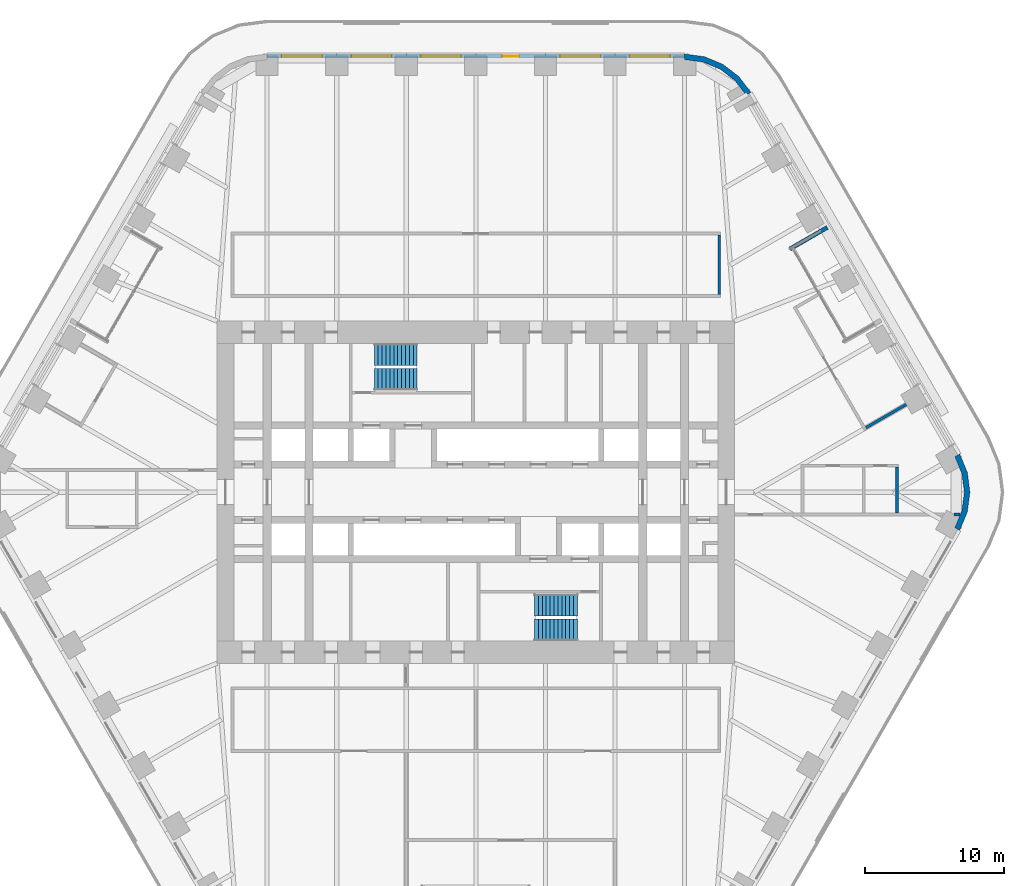
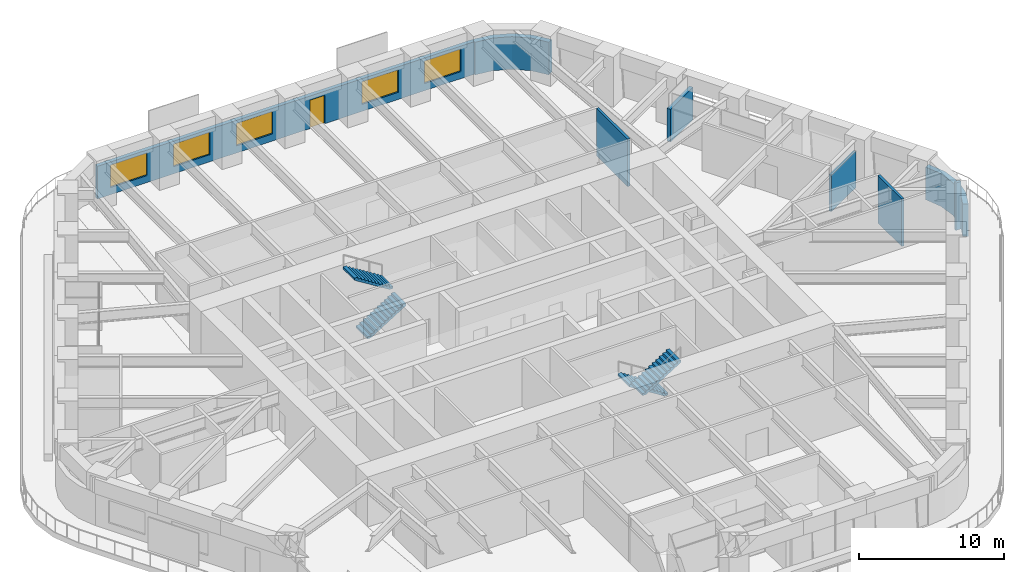
# One storey, part 21 of 24: 8 walls, 5 windows, 4 stair flights, 1 door, 6 openings, 2 elements without a shape of their own.
"""IFC4 building model written with IfcOpenShell, lengths in metres."""

import ifcopenshell
import ifcopenshell.guid

model = None  # the IFC model being written
_history = None  # IfcOwnerHistory: only IFC2X3 demands one
_inside = {}  # id of a spatial element -> (the spatial element, [elements in it])
_under = {}  # id of a project, library or spatial element -> (it, [spatial elements below it])
_declared = {}  # id of a project -> (the project, [libraries it declares])
_typed = {}  # id of a type object -> (the type object, [elements of that type])
_made_of = {}  # id of a material, layer set ... -> (it, [elements and type objects made of it])


def new_model(schema):
    """Start an empty IFC model of exactly this schema.

    Asked for "IFC4X3", IfcOpenShell would pick the latest addendum, in which some entities
    have other attributes; the version numbers below select the first issue.
    IFC2X3 requires an IfcOwnerHistory on every rooted entity: one is made here for all.
    """
    global model, _history
    if schema == "IFC4X3":
        model = ifcopenshell.file(schema_version=(4, 3, 0, 0))
    else:
        model = ifcopenshell.file(schema=schema)
    _inside.clear()
    _under.clear()
    _declared.clear()
    _typed.clear()
    _made_of.clear()
    _history = None
    if model.schema == "IFC2X3":
        org = make("IfcOrganization", Name="unknown")
        user = make(
            "IfcPersonAndOrganization",
            ThePerson=make("IfcPerson", FamilyName="unknown"),
            TheOrganization=org,
        )
        app = make(
            "IfcApplication",
            ApplicationDeveloper=org,
            Version="unknown",
            ApplicationFullName="unknown",
            ApplicationIdentifier="unknown",
        )
        _history = make(
            "IfcOwnerHistory",
            OwningUser=user,
            OwningApplication=app,
            ChangeAction="ADDED",
            CreationDate=0,
        )
    return model


def make(cls, **values):
    """One entity of the class cls with the attributes given. An attribute that is None is left unset."""
    return model.create_entity(
        cls, **{name: value for name, value in values.items() if value is not None}
    )


def rooted(cls, **values):
    """An entity with a GlobalId (a new one), such as an element, a storey or a relation."""
    return make(cls, GlobalId=ifcopenshell.guid.new(), OwnerHistory=_history, **values)


def si_unit(unit_type, name, prefix=None):
    """IfcSIUnit, for example si_unit("LENGTHUNIT", "METRE", prefix="MILLI")."""
    return make("IfcSIUnit", UnitType=unit_type, Prefix=prefix, Name=name)


def assignment(units):
    """IfcUnitAssignment: the units of a project."""
    return None if units is None else make("IfcUnitAssignment", Units=units)


def point(xyz):
    """IfcCartesianPoint."""
    return None if xyz is None else make("IfcCartesianPoint", Coordinates=xyz)


def direction(xyz):
    """IfcDirection."""
    return None if xyz is None else make("IfcDirection", DirectionRatios=xyz)


def frame(location, z_axis=None, x_axis=None):
    """IfcAxis2Placement3D, a coordinate frame: its origin and axes. An axis left out is left unset."""
    return make(
        "IfcAxis2Placement3D",
        Location=point(location),
        Axis=direction(z_axis),
        RefDirection=direction(x_axis),
    )


def frame_2d(location, x_axis=None):
    """IfcAxis2Placement2D, a coordinate frame in the plane: its origin and x axis."""
    return make(
        "IfcAxis2Placement2D", Location=point(location), RefDirection=direction(x_axis)
    )


def origin():
    """The frame at (0, 0, 0) with its axes left unset."""
    return frame((0.0, 0.0, 0.0))


def place(relative_to, where):
    """IfcLocalPlacement: puts the frame where relative to a parent placement (None: the world)."""
    return make(
        "IfcLocalPlacement", PlacementRelTo=relative_to, RelativePlacement=where
    )


def context(
    kind, dimensions, precision=None, world=None, true_north=None, identifier=None
):
    """IfcGeometricRepresentationContext, for example the 3D "Model" context."""
    return make(
        "IfcGeometricRepresentationContext",
        ContextIdentifier=identifier,
        ContextType=kind,
        CoordinateSpaceDimension=dimensions,
        Precision=precision,
        WorldCoordinateSystem=world,
        TrueNorth=true_north,
    )


def subcontext(parent, identifier, kind, view, scale=None):
    """IfcGeometricRepresentationSubContext, for example "Body" below "Model"."""
    return make(
        "IfcGeometricRepresentationSubContext",
        ContextIdentifier=identifier,
        ContextType=kind,
        ParentContext=parent,
        TargetScale=scale,
        TargetView=view,
    )


def project(units=None, contexts=None):
    """IfcProject with its units and contexts."""
    return rooted(
        "IfcProject",
        Name="project",
        RepresentationContexts=contexts,
        UnitsInContext=assignment(units),
    )


def spatial(cls, under=None, at=None, **own):
    """A site, building, storey or space (cls), placed at a placement, below another one or the project."""
    s = rooted(cls, ObjectPlacement=at, **own)
    if under is not None:
        _under.setdefault(under.id(), (under, []))[1].append(s)
    return s


def polyline(points):
    """IfcPolyline through the points."""
    return make("IfcPolyline", Points=[point(p) for p in points])


def profile(cls, at=None, kind="AREA", **sizes):
    """A parametric profile (cls). Its sizes go by their IFC names, for example OverallWidth=200.0."""
    return make(cls, ProfileType=kind, Position=at, **sizes)


def rectangle(**sizes):
    """IfcRectangleProfileDef."""
    return profile("IfcRectangleProfileDef", **sizes)


def outline(outer, holes=None, kind="AREA"):
    """IfcArbitraryClosedProfileDef: a profile drawn as a closed curve; with holes, ...WithVoids."""
    if holes is None:
        return make("IfcArbitraryClosedProfileDef", ProfileType=kind, OuterCurve=outer)
    return make(
        "IfcArbitraryProfileDefWithVoids",
        ProfileType=kind,
        OuterCurve=outer,
        InnerCurves=holes,
    )


def extrude(swept, where, along, depth):
    """IfcExtrudedAreaSolid: the profile swept, set in the frame where, extruded along a direction by depth."""
    return make(
        "IfcExtrudedAreaSolid",
        SweptArea=swept,
        Position=where,
        ExtrudedDirection=direction(along),
        Depth=depth,
    )


def shape(context_of_items, identifier, shape_type, items):
    """IfcShapeRepresentation: the items that make up one representation, for example the "Body"."""
    return make(
        "IfcShapeRepresentation",
        ContextOfItems=context_of_items,
        RepresentationIdentifier=identifier,
        RepresentationType=shape_type,
        Items=items,
    )


def material(Name=None, Category=None):
    """IfcMaterial."""
    return make("IfcMaterial", Name=Name, Category=Category)


def layer(
    of_material, thickness, ventilated=None, Name=None, Category=None, Priority=None
):
    """IfcMaterialLayer: one layer of a wall or slab, of a material (None: an air gap)."""
    return make(
        "IfcMaterialLayer",
        Material=of_material,
        LayerThickness=thickness,
        IsVentilated=ventilated,
        Name=Name,
        Category=Category,
        Priority=Priority,
    )


def layer_set(layers, Name=None):
    """IfcMaterialLayerSet."""
    return make("IfcMaterialLayerSet", MaterialLayers=layers, LayerSetName=Name)


def made_of(thing, what):
    """Note that an element or type object is made of a material, layer set ...; save() writes the relation."""
    if what is not None:
        _made_of.setdefault(what.id(), (what, []))[1].append(thing)
    return thing


def type_object(cls, material=None, **own):
    """A type object (cls), such as IfcWallType, which elements share."""
    return made_of(rooted(cls, **own), material)


def element(
    cls,
    number,
    at=None,
    inside=None,
    cuts=None,
    type_object=None,
    material=None,
    context=None,
    identifier="Body",
    shape_type=None,
    held_by="IfcProductDefinitionShape",
    body=None,
    shapes=None,
    **own,
):
    """One element of the class cls, such as IfcWall. Its Tag is "e" and its number.

    at: its placement. inside: the storey or other place that contains it. cuts: it is an
    opening in that element (IfcRelVoidsElement). A single representation is given by context,
    identifier, shape_type and body (its items); several are given by shapes. held_by: the class
    of the entity that holds the representations. save() writes the other relations.
    """
    e = rooted(cls, Tag="e%d" % number, ObjectPlacement=at, **own)
    if body is not None:
        shapes = [shape(context, identifier, shape_type, body)]
    if shapes is not None:
        e.Representation = make(held_by, Representations=shapes)
    if inside is not None:
        _inside.setdefault(inside.id(), (inside, []))[1].append(e)
    if cuts is not None:
        rooted(
            "IfcRelVoidsElement", RelatingBuildingElement=cuts, RelatedOpeningElement=e
        )
    if type_object is not None:
        _typed.setdefault(type_object.id(), (type_object, []))[1].append(e)
    return made_of(e, material)


def fill(opening, filler):
    """IfcRelFillsElement: the door or window that sits in an opening."""
    return rooted(
        "IfcRelFillsElement",
        RelatingOpeningElement=opening,
        RelatedBuildingElement=filler,
    )


def aggregate(whole, parts):
    """IfcRelAggregates: a whole, such as a stair, and the parts it consists of."""
    return rooted("IfcRelAggregates", RelatingObject=whole, RelatedObjects=parts)


def save(model, path):
    """Write the relations noted so far, then the file.

    IfcRelAggregates (storeys below a building ...), IfcRelContainedInSpatialStructure (elements
    in a storey), IfcRelDefinesByType, IfcRelAssociatesMaterial and IfcRelDeclares: one each for
    every whole, place, type object, material and project.
    """
    for whole, parts in _under.values():
        aggregate(whole, parts)
    for where, things in _inside.values():
        rooted(
            "IfcRelContainedInSpatialStructure",
            RelatedElements=things,
            RelatingStructure=where,
        )
    for kind, things in _typed.values():
        rooted("IfcRelDefinesByType", RelatedObjects=things, RelatingType=kind)
    for what, things in _made_of.values():
        rooted("IfcRelAssociatesMaterial", RelatedObjects=things, RelatingMaterial=what)
    for by, libraries in _declared.values():
        rooted("IfcRelDeclares", RelatingContext=by, RelatedDefinitions=libraries)
    model.write(path)


model = new_model("IFC4")

# Units and contexts
model_context = context("Model", 3, precision=1e-05, world=origin(), true_north=direction((0.0, 1.0)))
body_context = subcontext(model_context, "Body", "Model", "MODEL_VIEW")
ifc_project = project(units=[si_unit("LENGTHUNIT", "METRE"), si_unit("AREAUNIT", "SQUARE_METRE"), si_unit("VOLUMEUNIT", "CUBIC_METRE"), si_unit("PLANEANGLEUNIT", "RADIAN"), si_unit("MASSUNIT", "GRAM", prefix="KILO")], contexts=[model_context])

# Site, building, storey
site_placement = place(None, origin())
site = spatial("IfcSite", under=ifc_project, at=site_placement, CompositionType="ELEMENT")
building_placement = place(site_placement, origin())
building = spatial("IfcBuilding", under=site, at=building_placement, Name="Tarfa Lantern Tower", CompositionType="ELEMENT")
storey_placement = place(building_placement, frame((0.0, 0.0, 174.10009765625)))
storey = spatial("IfcBuildingStorey", under=building, at=storey_placement, Name="L39", CompositionType="ELEMENT", Elevation=174.10009765625)

# Wall
ifc_material_1 = material(Name="Limestone cladding on blockwork", Category="masonry")
ifc_layer_1 = layer(ifc_material_1, 0.300048828125)
ifc_layer_set_1 = layer_set([ifc_layer_1], Name="EW1 STONE-CLAD WALL 300")
wall_type_1 = type_object("IfcWallType", Name="EW1 STONE-CLAD WALL 300", PredefinedType="SOLIDWALL", material=ifc_layer_set_1)
wall_1_placement = place(storey_placement, frame((25.266357421875, 19.037353515625, 0.0), z_axis=(0.0, 0.0, 1.0), x_axis=(-0.86600983753, -0.500026960575, 0.0)))
element("IfcWall", 1, at=wall_1_placement, inside=storey, type_object=wall_type_1, Name="Loggia return NE 2", PredefinedType="SOLIDWALL", context=body_context, shape_type="SweptSolid", body=[
    extrude(rectangle(XDim=3.099853515625, YDim=0.300048828125, at=frame_2d((1.5498046875, 0.0))), origin(), (0.0, 0.0, 1.0), 2.75),
])

# Wall, openings, door, windows
wall_2_placement = place(storey_placement, frame((15.010986328125, 31.35009765625, 0.0), z_axis=(0.0, 0.0, 1.0), x_axis=(-1.0, 0.0, 0.0)))
wall_2 = element("IfcWall", 2, at=wall_2_placement, inside=storey, type_object=wall_type_1, Name="Stone wall N", PredefinedType="SOLIDWALL", context=body_context, shape_type="SweptSolid", body=[
    extrude(rectangle(XDim=30.02197265625, YDim=0.300048828125, at=frame_2d((15.010986328125, 0.0))), origin(), (0.0, 0.0, 1.0), 2.75),
])
opening_1_placement = place(wall_2_placement, frame((1.0517578125, 0.0, 0.60009765625)))
opening_1 = element("IfcOpeningElement", 3, at=opening_1_placement, cuts=wall_2, Name="Opening W9", PredefinedType="OPENING", context=body_context, shape_type="SweptSolid", body=[
    extrude(rectangle(XDim=2.89990234375, YDim=1.89990234375, at=frame_2d((1.449951171875, 0.949951171875))), frame((0.0, 0.159912109375, 0.0), z_axis=(0.0, -1.0, 0.0), x_axis=(1.0, 0.0, 0.0)), (0.0, 0.0, 1.0), 0.320068359375),
])
opening_2_placement = place(wall_2_placement, frame((6.0556640625, 0.0, 0.60009765625)))
opening_2 = element("IfcOpeningElement", 4, at=opening_2_placement, cuts=wall_2, Name="Opening W9", PredefinedType="OPENING", context=body_context, shape_type="SweptSolid", body=[
    extrude(rectangle(XDim=2.89990234375, YDim=1.89990234375, at=frame_2d((1.449951171875, 0.949951171875))), frame((0.0, 0.159912109375, 0.0), z_axis=(0.0, -1.0, 0.0), x_axis=(1.0, 0.0, 0.0)), (0.0, 0.0, 1.0), 0.320068359375),
])
opening_3_placement = place(wall_2_placement, frame((11.9091796875, 0.0, 0.0)))
opening_3 = element("IfcOpeningElement", 5, at=opening_3_placement, cuts=wall_2, Name="Opening D45", PredefinedType="OPENING", context=body_context, shape_type="SweptSolid", body=[
    extrude(rectangle(XDim=1.199951171875, YDim=2.39990234375, at=frame_2d((0.60009765625, 1.199951171875))), frame((0.0, 0.159912109375, 0.0), z_axis=(0.0, -1.0, 0.0), x_axis=(1.0, 0.0, 0.0)), (0.0, 0.0, 1.0), 0.320068359375),
])
opening_4_placement = place(wall_2_placement, frame((16.06298828125, 0.0, 0.60009765625)))
opening_4 = element("IfcOpeningElement", 6, at=opening_4_placement, cuts=wall_2, Name="Opening W9", PredefinedType="OPENING", context=body_context, shape_type="SweptSolid", body=[
    extrude(rectangle(XDim=2.89990234375, YDim=1.89990234375, at=frame_2d((1.449951171875, 0.949951171875))), frame((0.0, 0.159912109375, 0.0), z_axis=(0.0, -1.0, 0.0), x_axis=(1.0, 0.0, 0.0)), (0.0, 0.0, 1.0), 0.320068359375),
])
opening_5_placement = place(wall_2_placement, frame((21.066650390625, 0.0, 0.60009765625)))
opening_5 = element("IfcOpeningElement", 7, at=opening_5_placement, cuts=wall_2, Name="Opening W9", PredefinedType="OPENING", context=body_context, shape_type="SweptSolid", body=[
    extrude(rectangle(XDim=2.89990234375, YDim=1.89990234375, at=frame_2d((1.449951171875, 0.949951171875))), frame((0.0, 0.159912109375, 0.0), z_axis=(0.0, -1.0, 0.0), x_axis=(1.0, 0.0, 0.0)), (0.0, 0.0, 1.0), 0.320068359375),
])
opening_6_placement = place(wall_2_placement, frame((26.0703125, 0.0, 0.60009765625)))
opening_6 = element("IfcOpeningElement", 8, at=opening_6_placement, cuts=wall_2, Name="Opening W9", PredefinedType="OPENING", context=body_context, shape_type="SweptSolid", body=[
    extrude(rectangle(XDim=2.89990234375, YDim=1.89990234375, at=frame_2d((1.449951171875, 0.949951171875))), frame((0.0, 0.159912109375, 0.0), z_axis=(0.0, -1.0, 0.0), x_axis=(1.0, 0.0, 0.0)), (0.0, 0.0, 1.0), 0.320068359375),
])
ifc_material_2 = material(Name="Aluminium framed glazed door", Category="aluminium")
door_type = type_object("IfcDoorType", Name="BE3 BALCONY DOOR 1200x2400", OperationType="SINGLE_SWING_RIGHT", PredefinedType="DOOR", material=ifc_material_2)
door_placement = place(opening_3_placement, origin())
door = element("IfcDoor", 9, at=door_placement, inside=storey, type_object=door_type, Name="Balcony door N", OperationType="SINGLE_SWING_RIGHT", OverallHeight=2.39990234375, OverallWidth=1.199951171875, PredefinedType="DOOR", context=body_context, shape_type="SweptSolid", body=[
    extrude(rectangle(XDim=1.199951171875, YDim=2.39990234375, at=frame_2d((0.60009765625, 1.199951171875))), frame((0.0, 0.02490234375, 0.0), z_axis=(0.0, -1.0, 0.0), x_axis=(1.0, 0.0, 0.0)), (0.0, 0.0, 1.0), 0.050048828125),
])
fill(opening_3, door)
ifc_material_3 = material(Name="Aluminium frame, double glazed", Category="aluminium")
window_type = type_object("IfcWindowType", Name="W9 FULL-HEIGHT GLAZING 2900x1900", PartitioningType="SINGLE_PANEL", PredefinedType="WINDOW", material=ifc_material_3)
window_1_placement = place(opening_1_placement, origin())
window_1 = element("IfcWindow", 10, at=window_1_placement, inside=storey, type_object=window_type, Name="Window N 1", OverallHeight=1.89990234375, OverallWidth=2.89990234375, PartitioningType="SINGLE_PANEL", PredefinedType="WINDOW", context=body_context, shape_type="SweptSolid", body=[
    extrude(rectangle(XDim=2.89990234375, YDim=1.89990234375, at=frame_2d((1.449951171875, 0.949951171875))), frame((0.0, 0.030029296875, 0.0), z_axis=(0.0, -1.0, 0.0), x_axis=(1.0, 0.0, 0.0)), (0.0, 0.0, 1.0), 0.06005859375),
])
fill(opening_1, window_1)
window_2_placement = place(opening_2_placement, origin())
window_2 = element("IfcWindow", 11, at=window_2_placement, inside=storey, type_object=window_type, Name="Window N 2", OverallHeight=1.89990234375, OverallWidth=2.89990234375, PartitioningType="SINGLE_PANEL", PredefinedType="WINDOW", context=body_context, shape_type="SweptSolid", body=[
    extrude(rectangle(XDim=2.89990234375, YDim=1.89990234375, at=frame_2d((1.449951171875, 0.949951171875))), frame((0.0, 0.030029296875, 0.0), z_axis=(0.0, -1.0, 0.0), x_axis=(1.0, 0.0, 0.0)), (0.0, 0.0, 1.0), 0.06005859375),
])
fill(opening_2, window_2)
window_3_placement = place(opening_4_placement, origin())
window_3 = element("IfcWindow", 12, at=window_3_placement, inside=storey, type_object=window_type, Name="Window N 4", OverallHeight=1.89990234375, OverallWidth=2.89990234375, PartitioningType="SINGLE_PANEL", PredefinedType="WINDOW", context=body_context, shape_type="SweptSolid", body=[
    extrude(rectangle(XDim=2.89990234375, YDim=1.89990234375, at=frame_2d((1.449951171875, 0.949951171875))), frame((0.0, 0.030029296875, 0.0), z_axis=(0.0, -1.0, 0.0), x_axis=(1.0, 0.0, 0.0)), (0.0, 0.0, 1.0), 0.06005859375),
])
fill(opening_4, window_3)
window_4_placement = place(opening_5_placement, origin())
window_4 = element("IfcWindow", 13, at=window_4_placement, inside=storey, type_object=window_type, Name="Window N 5", OverallHeight=1.89990234375, OverallWidth=2.89990234375, PartitioningType="SINGLE_PANEL", PredefinedType="WINDOW", context=body_context, shape_type="SweptSolid", body=[
    extrude(rectangle(XDim=2.89990234375, YDim=1.89990234375, at=frame_2d((1.449951171875, 0.949951171875))), frame((0.0, 0.030029296875, 0.0), z_axis=(0.0, -1.0, 0.0), x_axis=(1.0, 0.0, 0.0)), (0.0, 0.0, 1.0), 0.06005859375),
])
fill(opening_5, window_4)
window_5_placement = place(opening_6_placement, origin())
window_5 = element("IfcWindow", 14, at=window_5_placement, inside=storey, type_object=window_type, Name="Window N 6", OverallHeight=1.89990234375, OverallWidth=2.89990234375, PartitioningType="SINGLE_PANEL", PredefinedType="WINDOW", context=body_context, shape_type="SweptSolid", body=[
    extrude(rectangle(XDim=2.89990234375, YDim=1.89990234375, at=frame_2d((1.449951171875, 0.949951171875))), frame((0.0, 0.030029296875, 0.0), z_axis=(0.0, -1.0, 0.0), x_axis=(1.0, 0.0, 0.0)), (0.0, 0.0, 1.0), 0.06005859375),
])
fill(opening_6, window_5)

# Walls
ifc_layer_2 = layer(ifc_material_1, 0.39990234375)
ifc_layer_set_2 = layer_set([ifc_layer_2], Name="EW2 CURVED STONE CORNER 400")
wall_type_2 = type_object("IfcWallType", Name="EW2 CURVED STONE CORNER 400", PredefinedType="SOLIDWALL", material=ifc_layer_set_2)
wall_3_placement = place(storey_placement, origin())
element("IfcWall", 15, at=wall_3_placement, inside=storey, type_object=wall_type_2, Name="Stone corner NE-N", PredefinedType="SOLIDWALL", context=body_context, shape_type="SweptSolid", body=[
    extrude(outline(polyline([(19.774169921875, 28.75), (18.900146484375, 29.88916015625), (17.760986328125, 30.76318359375), (16.4345703125, 31.3125), (15.010986328125, 31.5), (15.010986328125, 31.10009765625), (16.3310546875, 30.92626953125), (17.56103515625, 30.416748046875), (18.617431640625, 29.606201171875), (19.427734375, 28.550048828125), (19.774169921875, 28.75)])), origin(), (0.0, 0.0, 1.0), 2.75),
])
wall_4_placement = place(storey_placement, origin())
element("IfcWall", 16, at=wall_4_placement, inside=storey, type_object=wall_type_2, Name="Stone corner SE-NE", PredefinedType="SOLIDWALL", context=body_context, shape_type="SweptSolid", body=[
    extrude(outline(polyline([(34.785400390625, -2.75), (35.334716796875, -1.423583984375), (35.522216796875, 0.0), (35.334716796875, 1.423583984375), (34.785400390625, 2.75), (34.43896484375, 2.550048828125), (34.948486328125, 1.320068359375), (35.122314453125, 0.0), (34.948486328125, -1.320068359375), (34.43896484375, -2.550048828125), (34.785400390625, -2.75)])), origin(), (0.0, 0.0, 1.0), 2.75),
])
ifc_material_4 = material(Name="Gypsum board on steel studs", Category="steel")
ifc_layer_3 = layer(ifc_material_4, 0.2099609375)
ifc_layer_set_3 = layer_set([ifc_layer_3], Name="IW2 ACOUSTIC PARTITION 200")
wall_type_3 = type_object("IfcWallType", Name="IW2 ACOUSTIC PARTITION 200", PredefinedType="PARTITIONING", material=ifc_layer_set_3)
wall_5_placement = place(storey_placement, frame((17.5, 14.199951171875, 0.0), z_axis=(0.0, 0.0, 1.0), x_axis=(0.0, 1.0, 0.0)))
element("IfcWall", 17, at=wall_5_placement, inside=storey, type_object=wall_type_3, Name="Partition", PredefinedType="PARTITIONING", context=body_context, shape_type="SweptSolid", body=[
    extrude(rectangle(XDim=4.300048828125, YDim=0.199951171875, at=frame_2d((2.14990234375, 0.0))), origin(), (0.0, 0.0, 1.0), 4.0),
])
wall_6_placement = place(storey_placement, frame((28.0400390625, 4.63330078125, 0.0), z_axis=(0.0, 0.0, 1.0), x_axis=(0.866014461049, 0.500018952895, 0.0)))
element("IfcWall", 18, at=wall_6_placement, inside=storey, type_object=wall_type_3, Name="Partition", PredefinedType="PARTITIONING", context=body_context, shape_type="SweptSolid", body=[
    extrude(rectangle(XDim=3.349853515625, YDim=0.199951171875, at=frame_2d((1.6748046875, 0.0))), origin(), (0.0, 0.0, 1.0), 3.08154296875),
])
wall_7_placement = place(storey_placement, frame((34.3935546875, -1.60009765625, 0.0), z_axis=(0.0, 0.0, 1.0), x_axis=(1.0, 0.0, 0.0)))
element("IfcWall", 19, at=wall_7_placement, inside=storey, type_object=wall_type_3, Name="Partition", PredefinedType="PARTITIONING", context=body_context, shape_type="SweptSolid", body=[
    extrude(rectangle(XDim=0.397705078125, YDim=0.199951171875, at=frame_2d((0.19873046875, 0.0))), origin(), (0.0, 0.0, 1.0), 4.0),
])
wall_8_placement = place(storey_placement, frame((30.28271484375, -1.5, 0.0), z_axis=(0.0, 0.0, 1.0), x_axis=(0.0, 1.0, 0.0)))
element("IfcWall", 20, at=wall_8_placement, inside=storey, type_object=wall_type_3, Name="Partition", PredefinedType="PARTITIONING", context=body_context, shape_type="SweptSolid", body=[
    extrude(rectangle(XDim=3.300048828125, YDim=0.199951171875, at=frame_2d((1.64990234375, 0.0))), origin(), (0.0, 0.0, 1.0), 4.0),
])

# Stair, stair flights
ifc_material_5 = material(Name="Concrete C40/50", Category="concrete")
stair_type = type_object("IfcStairType", Name="ST-T10 HALF-TURN STAIR 4200 RISE", PredefinedType="HALF_TURN_STAIR", material=ifc_material_5)
stair_1_placement = place(storey_placement, origin())
stair_1 = element("IfcStair", 21, at=stair_1_placement, inside=storey, type_object=stair_type, Name="Stair ST1", PredefinedType="HALF_TURN_STAIR")
stair_flight_type = type_object("IfcStairFlightType", Name="SF1 STAIR FLIGHT", PredefinedType="STRAIGHT", material=ifc_material_5)
stair_flight_1_placement = place(storey_placement, frame((-7.300048828125, 8.10009765625, 0.0), z_axis=(0.0, 0.0, 1.0), x_axis=(1.0, 0.0, 0.0)))
stair_flight_1 = element("IfcStairFlight", 22, at=stair_flight_1_placement, type_object=stair_flight_type, Name="ST1 flight 1", NumberOfRisers=12, NumberOfTreads=11, PredefinedType="STRAIGHT", RiserHeight=0.175, TreadLength=0.28, context=body_context, shape_type="SweptSolid", body=[
    extrude(outline(polyline([(0.0, 0.0), (0.0, 0.175048828125), (0.280029296875, 0.175048828125), (0.280029296875, 0.35009765625), (0.56005859375, 0.35009765625), (0.56005859375, 0.52490234375), (0.840087890625, 0.52490234375), (0.840087890625, 0.699951171875), (1.1201171875, 0.699951171875), (1.1201171875, 0.875), (1.39990234375, 0.875), (1.39990234375, 1.050048828125), (1.679931640625, 1.050048828125), (1.679931640625, 1.22509765625), (1.9599609375, 1.22509765625), (1.9599609375, 1.39990234375), (2.239990234375, 1.39990234375), (2.239990234375, 1.574951171875), (2.52001953125, 1.574951171875), (2.52001953125, 1.75), (2.800048828125, 1.75), (2.800048828125, 1.925048828125), (3.080078125, 1.925048828125), (3.080078125, 2.10009765625), (3.080078125, 1.748291015625), (0.28271484375, 0.0), (0.0, 0.0)])), frame((0.0, 0.800048828125, 0.0), z_axis=(0.0, -1.0, 0.0), x_axis=(1.0, 0.0, 0.0)), (0.0, 0.0, 1.0), 1.60009765625),
])
stair_flight_2_placement = place(storey_placement, frame((-4.219970703125, 9.89990234375, 2.099853515625), z_axis=(0.0, 0.0, 1.0), x_axis=(-1.0, 0.0, 0.0)))
stair_flight_2 = element("IfcStairFlight", 23, at=stair_flight_2_placement, type_object=stair_flight_type, Name="ST1 flight 2", NumberOfRisers=12, NumberOfTreads=11, PredefinedType="STRAIGHT", RiserHeight=0.175, TreadLength=0.28, context=body_context, shape_type="SweptSolid", body=[
    extrude(outline(polyline([(0.0, 0.0), (0.0, 0.175048828125), (0.280029296875, 0.175048828125), (0.280029296875, 0.35009765625), (0.56005859375, 0.35009765625), (0.56005859375, 0.52490234375), (0.840087890625, 0.52490234375), (0.840087890625, 0.699951171875), (1.1201171875, 0.699951171875), (1.1201171875, 0.875), (1.39990234375, 0.875), (1.39990234375, 1.050048828125), (1.679931640625, 1.050048828125), (1.679931640625, 1.22509765625), (1.9599609375, 1.22509765625), (1.9599609375, 1.39990234375), (2.239990234375, 1.39990234375), (2.239990234375, 1.574951171875), (2.52001953125, 1.574951171875), (2.52001953125, 1.75), (2.800048828125, 1.75), (2.800048828125, 1.925048828125), (3.080078125, 1.925048828125), (3.080078125, 2.10009765625), (3.080078125, 1.748291015625), (0.28271484375, 0.0), (0.0, 0.0)])), frame((0.0, 0.800048828125, 0.0), z_axis=(0.0, -1.0, 0.0), x_axis=(1.0, 0.0, 0.0)), (0.0, 0.0, 1.0), 1.60009765625),
])
aggregate(stair_1, [stair_flight_1, stair_flight_2])

stair_2_placement = place(storey_placement, origin())
stair_2 = element("IfcStair", 24, at=stair_2_placement, inside=storey, type_object=stair_type, Name="Stair ST2", PredefinedType="HALF_TURN_STAIR")
stair_flight_3_placement = place(storey_placement, frame((7.300048828125, -8.10009765625, 0.0), z_axis=(0.0, 0.0, 1.0), x_axis=(-1.0, 0.0, 0.0)))
stair_flight_3 = element("IfcStairFlight", 25, at=stair_flight_3_placement, type_object=stair_flight_type, Name="ST2 flight 1", NumberOfRisers=12, NumberOfTreads=11, PredefinedType="STRAIGHT", RiserHeight=0.175, TreadLength=0.28, context=body_context, shape_type="SweptSolid", body=[
    extrude(outline(polyline([(0.0, 0.0), (0.0, 0.175048828125), (0.280029296875, 0.175048828125), (0.280029296875, 0.35009765625), (0.56005859375, 0.35009765625), (0.56005859375, 0.52490234375), (0.840087890625, 0.52490234375), (0.840087890625, 0.699951171875), (1.1201171875, 0.699951171875), (1.1201171875, 0.875), (1.39990234375, 0.875), (1.39990234375, 1.050048828125), (1.679931640625, 1.050048828125), (1.679931640625, 1.22509765625), (1.9599609375, 1.22509765625), (1.9599609375, 1.39990234375), (2.239990234375, 1.39990234375), (2.239990234375, 1.574951171875), (2.52001953125, 1.574951171875), (2.52001953125, 1.75), (2.800048828125, 1.75), (2.800048828125, 1.925048828125), (3.080078125, 1.925048828125), (3.080078125, 2.10009765625), (3.080078125, 1.748291015625), (0.28271484375, 0.0), (0.0, 0.0)])), frame((0.0, 0.800048828125, 0.0), z_axis=(0.0, -1.0, 0.0), x_axis=(1.0, 0.0, 0.0)), (0.0, 0.0, 1.0), 1.60009765625),
])
stair_flight_4_placement = place(storey_placement, frame((4.219970703125, -9.89990234375, 2.099853515625), z_axis=(0.0, 0.0, 1.0), x_axis=(1.0, 0.0, 0.0)))
stair_flight_4 = element("IfcStairFlight", 26, at=stair_flight_4_placement, type_object=stair_flight_type, Name="ST2 flight 2", NumberOfRisers=12, NumberOfTreads=11, PredefinedType="STRAIGHT", RiserHeight=0.175, TreadLength=0.28, context=body_context, shape_type="SweptSolid", body=[
    extrude(outline(polyline([(0.0, 0.0), (0.0, 0.175048828125), (0.280029296875, 0.175048828125), (0.280029296875, 0.35009765625), (0.56005859375, 0.35009765625), (0.56005859375, 0.52490234375), (0.840087890625, 0.52490234375), (0.840087890625, 0.699951171875), (1.1201171875, 0.699951171875), (1.1201171875, 0.875), (1.39990234375, 0.875), (1.39990234375, 1.050048828125), (1.679931640625, 1.050048828125), (1.679931640625, 1.22509765625), (1.9599609375, 1.22509765625), (1.9599609375, 1.39990234375), (2.239990234375, 1.39990234375), (2.239990234375, 1.574951171875), (2.52001953125, 1.574951171875), (2.52001953125, 1.75), (2.800048828125, 1.75), (2.800048828125, 1.925048828125), (3.080078125, 1.925048828125), (3.080078125, 2.10009765625), (3.080078125, 1.748291015625), (0.28271484375, 0.0), (0.0, 0.0)])), frame((0.0, 0.800048828125, 0.0), z_axis=(0.0, -1.0, 0.0), x_axis=(1.0, 0.0, 0.0)), (0.0, 0.0, 1.0), 1.60009765625),
])
aggregate(stair_2, [stair_flight_3, stair_flight_4])

save(model, "model.ifc")
